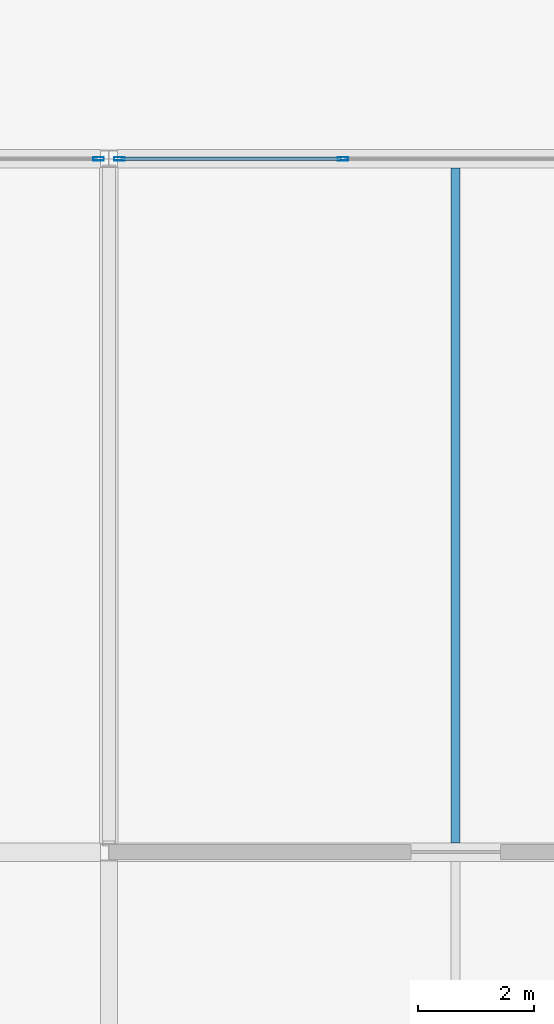
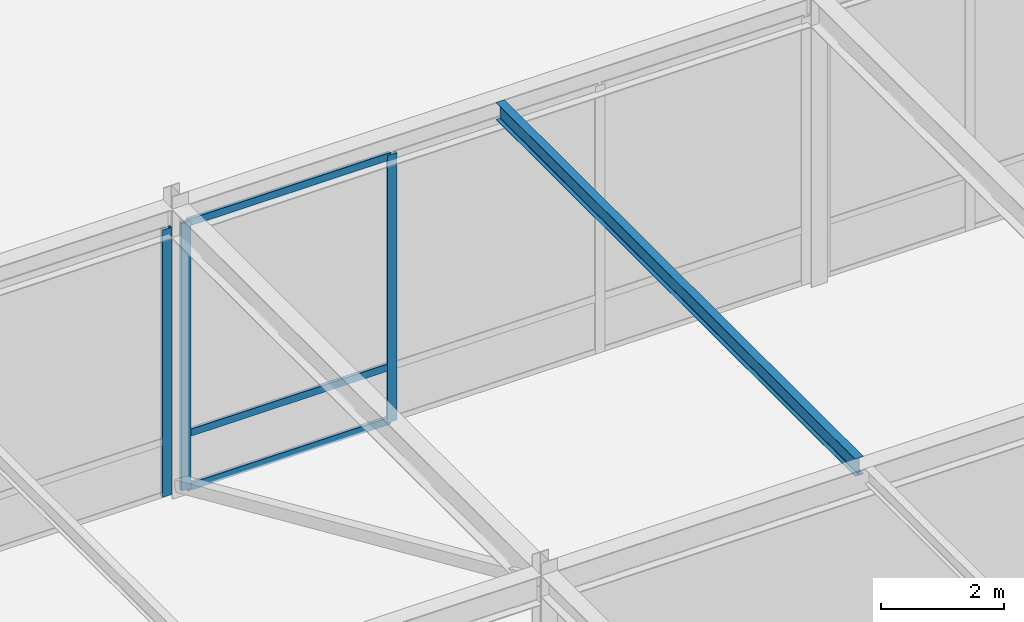
# One storey, part 80 of 108: 6 members, 1 beam, 2 elements without a shape of their own.
"""IFC4 building model written with IfcOpenShell, lengths in metres."""

import ifcopenshell
import ifcopenshell.guid

model = None  # the IFC model being written
_history = None  # IfcOwnerHistory: only IFC2X3 demands one
_inside = {}  # id of a spatial element -> (the spatial element, [elements in it])
_under = {}  # id of a project, library or spatial element -> (it, [spatial elements below it])
_declared = {}  # id of a project -> (the project, [libraries it declares])
_typed = {}  # id of a type object -> (the type object, [elements of that type])
_made_of = {}  # id of a material, layer set ... -> (it, [elements and type objects made of it])


def new_model(schema):
    """Start an empty IFC model of exactly this schema.

    Asked for "IFC4X3", IfcOpenShell would pick the latest addendum, in which some entities
    have other attributes; the version numbers below select the first issue.
    IFC2X3 requires an IfcOwnerHistory on every rooted entity: one is made here for all.
    """
    global model, _history
    if schema == "IFC4X3":
        model = ifcopenshell.file(schema_version=(4, 3, 0, 0))
    else:
        model = ifcopenshell.file(schema=schema)
    _inside.clear()
    _under.clear()
    _declared.clear()
    _typed.clear()
    _made_of.clear()
    _history = None
    if model.schema == "IFC2X3":
        org = make("IfcOrganization", Name="unknown")
        user = make(
            "IfcPersonAndOrganization",
            ThePerson=make("IfcPerson", FamilyName="unknown"),
            TheOrganization=org,
        )
        app = make(
            "IfcApplication",
            ApplicationDeveloper=org,
            Version="unknown",
            ApplicationFullName="unknown",
            ApplicationIdentifier="unknown",
        )
        _history = make(
            "IfcOwnerHistory",
            OwningUser=user,
            OwningApplication=app,
            ChangeAction="ADDED",
            CreationDate=0,
        )
    return model


def make(cls, **values):
    """One entity of the class cls with the attributes given. An attribute that is None is left unset."""
    return model.create_entity(
        cls, **{name: value for name, value in values.items() if value is not None}
    )


def rooted(cls, **values):
    """An entity with a GlobalId (a new one), such as an element, a storey or a relation."""
    return make(cls, GlobalId=ifcopenshell.guid.new(), OwnerHistory=_history, **values)


def si_unit(unit_type, name, prefix=None):
    """IfcSIUnit, for example si_unit("LENGTHUNIT", "METRE", prefix="MILLI")."""
    return make("IfcSIUnit", UnitType=unit_type, Prefix=prefix, Name=name)


def assignment(units):
    """IfcUnitAssignment: the units of a project."""
    return None if units is None else make("IfcUnitAssignment", Units=units)


def point(xyz):
    """IfcCartesianPoint."""
    return None if xyz is None else make("IfcCartesianPoint", Coordinates=xyz)


def direction(xyz):
    """IfcDirection."""
    return None if xyz is None else make("IfcDirection", DirectionRatios=xyz)


def frame(location, z_axis=None, x_axis=None):
    """IfcAxis2Placement3D, a coordinate frame: its origin and axes. An axis left out is left unset."""
    return make(
        "IfcAxis2Placement3D",
        Location=point(location),
        Axis=direction(z_axis),
        RefDirection=direction(x_axis),
    )


def frame_2d(location, x_axis=None):
    """IfcAxis2Placement2D, a coordinate frame in the plane: its origin and x axis."""
    return make(
        "IfcAxis2Placement2D", Location=point(location), RefDirection=direction(x_axis)
    )


def origin():
    """The frame at (0, 0, 0) with its axes left unset."""
    return frame((0.0, 0.0, 0.0))


def origin_2d():
    """The frame at (0, 0) in the plane with its x axis left unset."""
    return frame_2d((0.0, 0.0))


def place(relative_to, where):
    """IfcLocalPlacement: puts the frame where relative to a parent placement (None: the world)."""
    return make(
        "IfcLocalPlacement", PlacementRelTo=relative_to, RelativePlacement=where
    )


def context(
    kind, dimensions, precision=None, world=None, true_north=None, identifier=None
):
    """IfcGeometricRepresentationContext, for example the 3D "Model" context."""
    return make(
        "IfcGeometricRepresentationContext",
        ContextIdentifier=identifier,
        ContextType=kind,
        CoordinateSpaceDimension=dimensions,
        Precision=precision,
        WorldCoordinateSystem=world,
        TrueNorth=true_north,
    )


def subcontext(parent, identifier, kind, view, scale=None):
    """IfcGeometricRepresentationSubContext, for example "Body" below "Model"."""
    return make(
        "IfcGeometricRepresentationSubContext",
        ContextIdentifier=identifier,
        ContextType=kind,
        ParentContext=parent,
        TargetScale=scale,
        TargetView=view,
    )


def project(units=None, contexts=None):
    """IfcProject with its units and contexts."""
    return rooted(
        "IfcProject",
        Name="project",
        RepresentationContexts=contexts,
        UnitsInContext=assignment(units),
    )


def spatial(cls, under=None, at=None, **own):
    """A site, building, storey or space (cls), placed at a placement, below another one or the project."""
    s = rooted(cls, ObjectPlacement=at, **own)
    if under is not None:
        _under.setdefault(under.id(), (under, []))[1].append(s)
    return s


def profile(cls, at=None, kind="AREA", **sizes):
    """A parametric profile (cls). Its sizes go by their IFC names, for example OverallWidth=200.0."""
    return make(cls, ProfileType=kind, Position=at, **sizes)


def hollow_rectangle(**sizes):
    """IfcRectangleHollowProfileDef."""
    return profile("IfcRectangleHollowProfileDef", **sizes)


def i_section(**sizes):
    """IfcIShapeProfileDef."""
    return profile("IfcIShapeProfileDef", **sizes)


def extrude(swept, where, along, depth):
    """IfcExtrudedAreaSolid: the profile swept, set in the frame where, extruded along a direction by depth."""
    return make(
        "IfcExtrudedAreaSolid",
        SweptArea=swept,
        Position=where,
        ExtrudedDirection=direction(along),
        Depth=depth,
    )


def shape(context_of_items, identifier, shape_type, items):
    """IfcShapeRepresentation: the items that make up one representation, for example the "Body"."""
    return make(
        "IfcShapeRepresentation",
        ContextOfItems=context_of_items,
        RepresentationIdentifier=identifier,
        RepresentationType=shape_type,
        Items=items,
    )


def material(Name=None, Category=None):
    """IfcMaterial."""
    return make("IfcMaterial", Name=Name, Category=Category)


def layer(
    of_material, thickness, ventilated=None, Name=None, Category=None, Priority=None
):
    """IfcMaterialLayer: one layer of a wall or slab, of a material (None: an air gap)."""
    return make(
        "IfcMaterialLayer",
        Material=of_material,
        LayerThickness=thickness,
        IsVentilated=ventilated,
        Name=Name,
        Category=Category,
        Priority=Priority,
    )


def layer_set(layers, Name=None):
    """IfcMaterialLayerSet."""
    return make("IfcMaterialLayerSet", MaterialLayers=layers, LayerSetName=Name)


def material_profile(
    of_material, cross_section, Name=None, Category=None, Priority=None
):
    """IfcMaterialProfile: a cross section and its material."""
    return make(
        "IfcMaterialProfile",
        Name=Name,
        Material=of_material,
        Profile=cross_section,
        Priority=Priority,
        Category=Category,
    )


def profile_set(profiles, Name=None, composite=None):
    """IfcMaterialProfileSet."""
    return make(
        "IfcMaterialProfileSet",
        Name=Name,
        MaterialProfiles=profiles,
        CompositeProfile=composite,
    )


def made_of(thing, what):
    """Note that an element or type object is made of a material, layer set ...; save() writes the relation."""
    if what is not None:
        _made_of.setdefault(what.id(), (what, []))[1].append(thing)
    return thing


def type_object(cls, material=None, **own):
    """A type object (cls), such as IfcWallType, which elements share."""
    return made_of(rooted(cls, **own), material)


def element(
    cls,
    number,
    at=None,
    inside=None,
    cuts=None,
    type_object=None,
    material=None,
    context=None,
    identifier="Body",
    shape_type=None,
    held_by="IfcProductDefinitionShape",
    body=None,
    shapes=None,
    **own,
):
    """One element of the class cls, such as IfcWall. Its Tag is "e" and its number.

    at: its placement. inside: the storey or other place that contains it. cuts: it is an
    opening in that element (IfcRelVoidsElement). A single representation is given by context,
    identifier, shape_type and body (its items); several are given by shapes. held_by: the class
    of the entity that holds the representations. save() writes the other relations.
    """
    e = rooted(cls, Tag="e%d" % number, ObjectPlacement=at, **own)
    if body is not None:
        shapes = [shape(context, identifier, shape_type, body)]
    if shapes is not None:
        e.Representation = make(held_by, Representations=shapes)
    if inside is not None:
        _inside.setdefault(inside.id(), (inside, []))[1].append(e)
    if cuts is not None:
        rooted(
            "IfcRelVoidsElement", RelatingBuildingElement=cuts, RelatedOpeningElement=e
        )
    if type_object is not None:
        _typed.setdefault(type_object.id(), (type_object, []))[1].append(e)
    return made_of(e, material)


def aggregate(whole, parts):
    """IfcRelAggregates: a whole, such as a stair, and the parts it consists of."""
    return rooted("IfcRelAggregates", RelatingObject=whole, RelatedObjects=parts)


def save(model, path):
    """Write the relations noted so far, then the file.

    IfcRelAggregates (storeys below a building ...), IfcRelContainedInSpatialStructure (elements
    in a storey), IfcRelDefinesByType, IfcRelAssociatesMaterial and IfcRelDeclares: one each for
    every whole, place, type object, material and project.
    """
    for whole, parts in _under.values():
        aggregate(whole, parts)
    for where, things in _inside.values():
        rooted(
            "IfcRelContainedInSpatialStructure",
            RelatedElements=things,
            RelatingStructure=where,
        )
    for kind, things in _typed.values():
        rooted("IfcRelDefinesByType", RelatedObjects=things, RelatingType=kind)
    for what, things in _made_of.values():
        rooted("IfcRelAssociatesMaterial", RelatedObjects=things, RelatingMaterial=what)
    for by, libraries in _declared.values():
        rooted("IfcRelDeclares", RelatingContext=by, RelatedDefinitions=libraries)
    model.write(path)


model = new_model("IFC4")

# Units and contexts
model_context = context("Model", 3, precision=1e-05, world=origin(), true_north=direction((0.0, 1.0)))
body_context = subcontext(model_context, "Body", "Model", "MODEL_VIEW")
ifc_project = project(units=[si_unit("LENGTHUNIT", "METRE"), si_unit("AREAUNIT", "SQUARE_METRE"), si_unit("VOLUMEUNIT", "CUBIC_METRE"), si_unit("PLANEANGLEUNIT", "RADIAN"), si_unit("MASSUNIT", "GRAM", prefix="KILO")], contexts=[model_context])

# Site, building, storey
site_placement = place(None, origin())
site = spatial("IfcSite", under=ifc_project, at=site_placement, CompositionType="ELEMENT")
building_placement = place(site_placement, origin())
building = spatial("IfcBuilding", under=site, at=building_placement, Name="Zlatovratsky Civic Hall", CompositionType="ELEMENT")
storey_placement = place(building_placement, frame((0.0, 0.0, 6.0)))
storey = spatial("IfcBuildingStorey", under=building, at=storey_placement, Name="L02", CompositionType="ELEMENT", Elevation=6.0)

# Curtain wall, member
ifc_material_1 = material(Name="Anodised bronze aluminium", Category="aluminium")
ifc_layer = layer(ifc_material_1, 0.159912109375)
ifc_layer_set = layer_set([ifc_layer], Name="Anodised bronze aluminium")
curtain_wall_type = type_object("IfcCurtainWallType", Name="CurtainWall_Bronze_11700x5310_05", PredefinedType="NOTDEFINED", material=ifc_layer_set)
curtain_wall_1_placement = place(storey_placement, origin())
curtain_wall_1 = element("IfcCurtainWall", 1, at=curtain_wall_1_placement, inside=storey, type_object=curtain_wall_type, Name="CW-027", PredefinedType="NOTDEFINED")
ifc_material_profile_1 = material_profile(ifc_material_1, hollow_rectangle(XDim=0.06005859375, YDim=0.179931640625, WallThickness=0.00390625, at=origin_2d()), Name="ALU 60x180x4")
ifc_profile_set_1 = profile_set([ifc_material_profile_1], Name="Anodised bronze aluminium")
member_type_1 = type_object("IfcMemberType", Name="CW_Mullion_60x180", PredefinedType="MULLION", material=ifc_profile_set_1)
member_1_placement = place(storey_placement, frame((131.820068359375, 30.0, 0.0), z_axis=(0.0, 0.0, 1.0), x_axis=(0.0, 1.0, 0.0)))
member_1 = element("IfcMember", 2, at=member_1_placement, type_object=member_type_1, Name="CW-05 mullion 4", PredefinedType="MULLION", context=body_context, shape_type="SweptSolid", body=[
    extrude(hollow_rectangle(XDim=0.06005859375, YDim=0.179931640625, WallThickness=0.00390625, at=origin_2d()), origin(), (0.0, 0.0, 1.0), 5.31005859375),
])
aggregate(curtain_wall_1, [member_1])

# Curtain wall, members
curtain_wall_2_placement = place(storey_placement, origin())
curtain_wall_2 = element("IfcCurtainWall", 3, at=curtain_wall_2_placement, inside=storey, type_object=curtain_wall_type, Name="CW-028", PredefinedType="NOTDEFINED")
member_2_placement = place(storey_placement, frame((132.179931640625, 30.0, 0.0), z_axis=(0.0, 0.0, 1.0), x_axis=(0.0, 1.0, 0.0)))
member_2 = element("IfcMember", 4, at=member_2_placement, type_object=member_type_1, Name="CW-05 mullion 1", PredefinedType="MULLION", context=body_context, shape_type="SweptSolid", body=[
    extrude(hollow_rectangle(XDim=0.06005859375, YDim=0.179931640625, WallThickness=0.00390625, at=origin_2d()), origin(), (0.0, 0.0, 1.0), 5.31005859375),
])
member_3_placement = place(storey_placement, frame((136.050048828125, 30.0, 0.0), z_axis=(0.0, 0.0, 1.0), x_axis=(0.0, 1.0, 0.0)))
member_3 = element("IfcMember", 5, at=member_3_placement, type_object=member_type_1, Name="CW-05 mullion 2", PredefinedType="MULLION", context=body_context, shape_type="SweptSolid", body=[
    extrude(hollow_rectangle(XDim=0.06005859375, YDim=0.179931640625, WallThickness=0.00390625, at=origin_2d()), origin(), (0.0, 0.0, 1.0), 5.31005859375),
])
ifc_material_profile_2 = material_profile(ifc_material_1, hollow_rectangle(XDim=0.06005859375, YDim=0.139892578125, WallThickness=0.00390625, at=origin_2d()), Name="ALU 60x140x4")
ifc_profile_set_2 = profile_set([ifc_material_profile_2], Name="Anodised bronze aluminium")
member_type_2 = type_object("IfcMemberType", Name="CW_Transom_60x140", PredefinedType="USERDEFINED", material=ifc_profile_set_2)
member_4_placement = place(storey_placement, frame((132.2099609375, 30.0, 0.030029296875), z_axis=(1.0, 0.0, 0.0), x_axis=(0.0, 1.0, 0.0)))
member_4 = element("IfcMember", 6, at=member_4_placement, type_object=member_type_2, Name="CW-05 transom 1.1", ObjectType="TRANSOM", PredefinedType="USERDEFINED", context=body_context, shape_type="SweptSolid", body=[
    extrude(hollow_rectangle(XDim=0.06005859375, YDim=0.139892578125, WallThickness=0.00390625, at=origin_2d()), origin(), (0.0, 0.0, 1.0), 3.81005859375),
])
member_5_placement = place(storey_placement, frame((132.2099609375, 30.0, 1.10009765625), z_axis=(1.0, 0.0, 0.0), x_axis=(0.0, 1.0, 0.0)))
member_5 = element("IfcMember", 7, at=member_5_placement, type_object=member_type_2, Name="CW-05 transom 1.2", ObjectType="TRANSOM", PredefinedType="USERDEFINED", context=body_context, shape_type="SweptSolid", body=[
    extrude(hollow_rectangle(XDim=0.06005859375, YDim=0.139892578125, WallThickness=0.00390625, at=origin_2d()), origin(), (0.0, 0.0, 1.0), 3.81005859375),
])
member_6_placement = place(storey_placement, frame((132.2099609375, 30.0, 5.280029296875), z_axis=(1.0, 0.0, 0.0), x_axis=(0.0, 1.0, 0.0)))
member_6 = element("IfcMember", 8, at=member_6_placement, type_object=member_type_2, Name="CW-05 transom 1.3", ObjectType="TRANSOM", PredefinedType="USERDEFINED", context=body_context, shape_type="SweptSolid", body=[
    extrude(hollow_rectangle(XDim=0.06005859375, YDim=0.139892578125, WallThickness=0.00390625, at=origin_2d()), origin(), (0.0, 0.0, 1.0), 3.81005859375),
])
aggregate(curtain_wall_2, [member_2, member_3, member_4, member_5, member_6])

# Beam
ifc_material_2 = material(Name="Steel S355", Category="steel")
ifc_material_profile_3 = material_profile(ifc_material_2, i_section(OverallWidth=0.155029296875, OverallDepth=0.345947265625, WebThickness=0.006103515625, FlangeThickness=0.008544921875, FilletRadius=0.013916015625, at=origin_2d()), Name="35B1")
ifc_profile_set_3 = profile_set([ifc_material_profile_3], Name="Steel S355")
beam_type = type_object("IfcBeamType", Name="Joist_Podium_35B1", PredefinedType="JOIST", material=ifc_profile_set_3)
beam_placement = place(storey_placement, frame((138.0, 18.159912109375, 5.5869140625), z_axis=(0.0, 1.0, 0.0), x_axis=(-1.0, 0.0, 0.0)))
element("IfcBeam", 9, at=beam_placement, inside=storey, type_object=beam_type, Name="BM-2405", PredefinedType="JOIST", context=body_context, shape_type="SweptSolid", body=[
    extrude(i_section(OverallWidth=0.155029296875, OverallDepth=0.345947265625, WebThickness=0.006103515625, FlangeThickness=0.008544921875, FilletRadius=0.013916015625, at=origin_2d()), origin(), (0.0, 0.0, 1.0), 11.68017578125),
])

save(model, "model.ifc")
